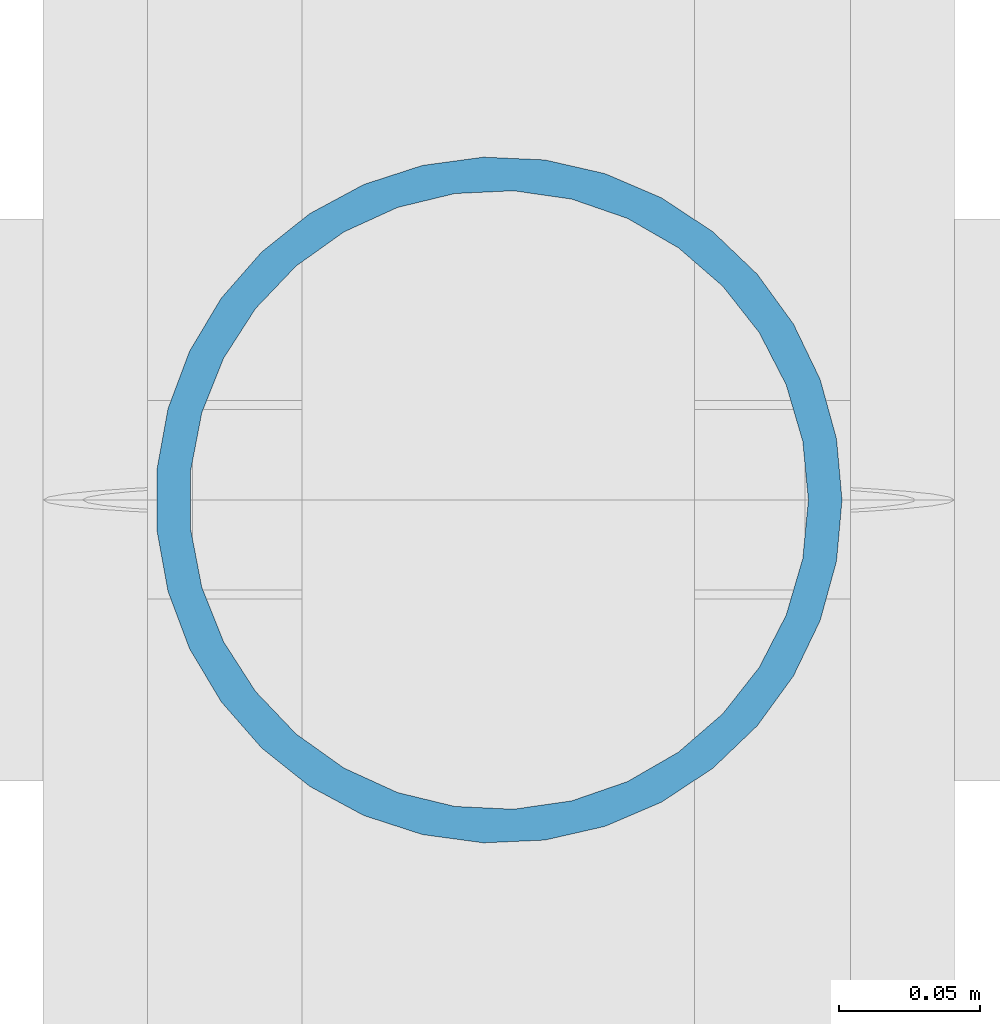
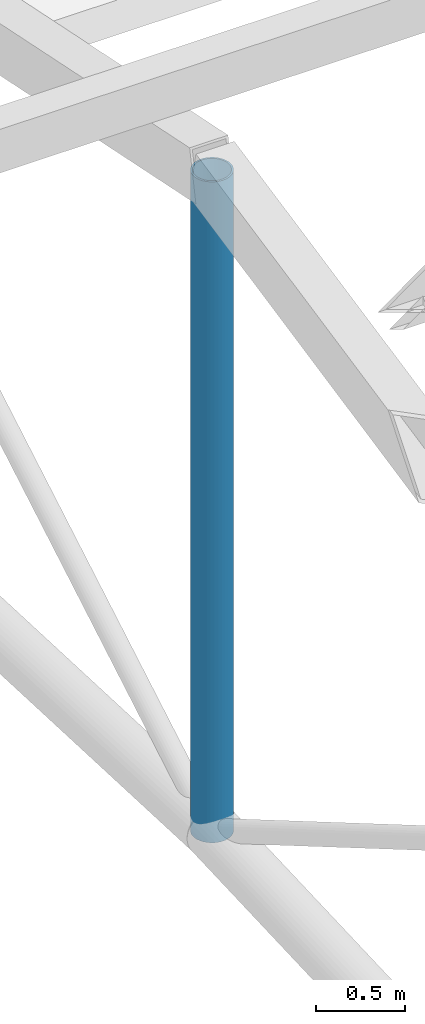
# One storey, part 31 of 168: 1 member.
"""IFC4 building model written with IfcOpenShell, lengths in metres."""

from ifc_helpers import new_model, si_unit, direction, frame, origin, origin_2d, place, context, subcontext, project, spatial, hollow_circle, extrude, material, material_profile, profile_set, type_object, element, save


model = new_model("IFC4")

# Units and contexts
model_context = context("Model", 3, precision=1e-05, world=origin(), true_north=direction((0.0, 1.0)))
body_context = subcontext(model_context, "Body", "Model", "MODEL_VIEW")
ifc_project = project(units=[si_unit("LENGTHUNIT", "METRE"), si_unit("AREAUNIT", "SQUARE_METRE"), si_unit("VOLUMEUNIT", "CUBIC_METRE"), si_unit("PLANEANGLEUNIT", "RADIAN"), si_unit("MASSUNIT", "GRAM", prefix="KILO"), si_unit("THERMODYNAMICTEMPERATUREUNIT", "KELVIN"), si_unit("POWERUNIT", "WATT")], contexts=[model_context])

# Site, building, storey
site_placement = place(None, origin())
site = spatial("IfcSite", under=ifc_project, at=site_placement, CompositionType="ELEMENT")
building_placement = place(site_placement, origin())
building = spatial("IfcBuilding", under=site, at=building_placement, Name="Tepalcoro Natatorium and Aquatics Centre", CompositionType="ELEMENT")
storey_placement = place(building_placement, frame((0.0, 0.0, 10.199951171875)))
storey = spatial("IfcBuildingStorey", under=building, at=storey_placement, Name="L02", CompositionType="ELEMENT", Elevation=10.199951171875)

# Member
ifc_material = material(Name="Terracotta Painted Hollow Steel ASTM A500 Grade C (Fy 345 MPa)", Category="masonry")
ifc_material_profile = material_profile(ifc_material, hollow_circle(Radius=0.1220703125, WallThickness=0.011962890625, at=origin_2d()), Name="CHS244X12")
ifc_profile_set = profile_set([ifc_material_profile], Name="Terracotta Painted Hollow Steel ASTM A500 Grade C (Fy 345 MPa)")
member_type = type_object("IfcMemberType", Name="MB_PS_CHS244x12", PredefinedType="POST", material=ifc_profile_set)
member_placement = place(storey_placement, frame((89.0, 36.0, 7.650146484375), z_axis=(0.0, 0.0, 1.0), x_axis=(1.0, 0.0, 0.0)))
element("IfcMember", 1, at=member_placement, inside=storey, type_object=member_type, Name="V1 Arched Truss Vertical Post 5", PredefinedType="POST", context=body_context, shape_type="SweptSolid", body=[
    extrude(hollow_circle(Radius=0.1220703125, WallThickness=0.011962890625, at=origin_2d()), origin(), (0.0, 0.0, 1.0), 4.5498046875),
])

save(model, "model.ifc")
